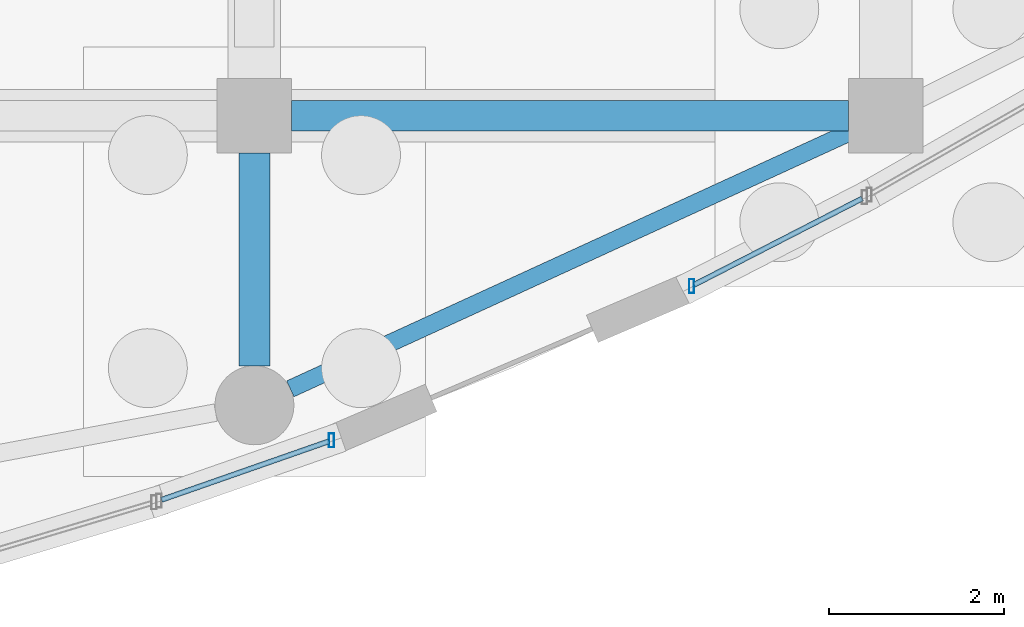
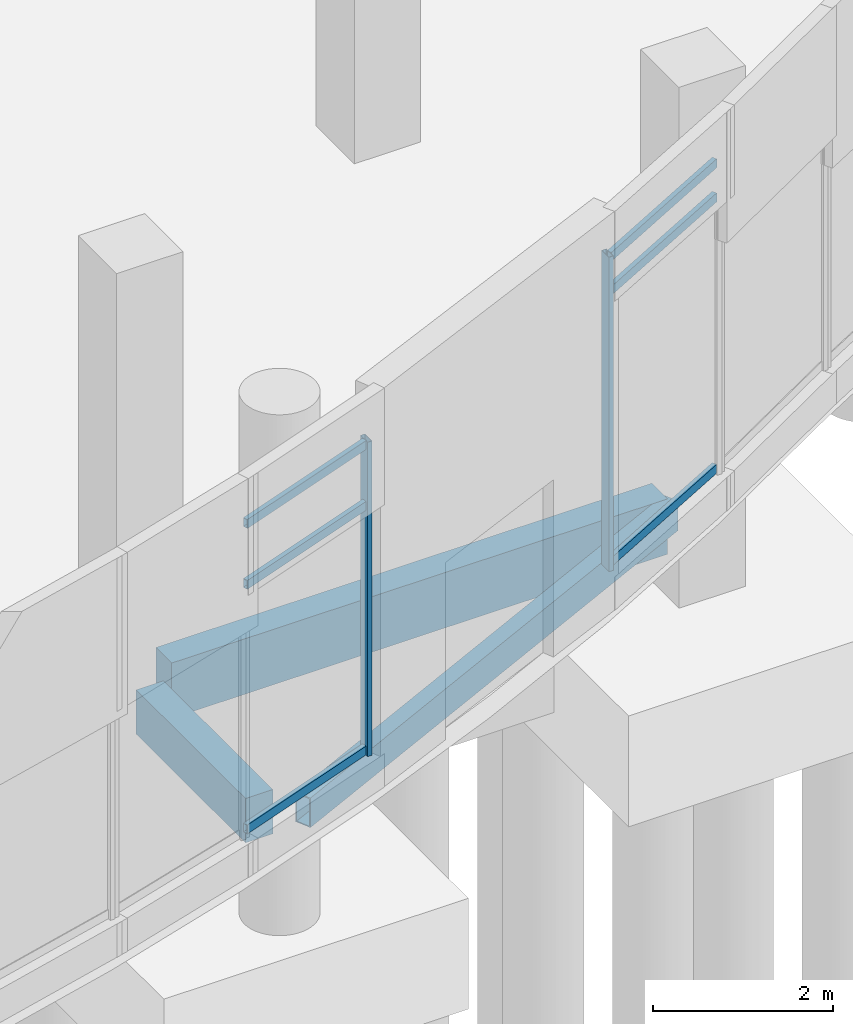
# One storey, part 44 of 192: 8 members, 3 beams, 2 elements without a shape of their own.
"""IFC4 building model written with IfcOpenShell, lengths in metres."""

import ifcopenshell
import ifcopenshell.guid

model = None  # the IFC model being written
_history = None  # IfcOwnerHistory: only IFC2X3 demands one
_inside = {}  # id of a spatial element -> (the spatial element, [elements in it])
_under = {}  # id of a project, library or spatial element -> (it, [spatial elements below it])
_declared = {}  # id of a project -> (the project, [libraries it declares])
_typed = {}  # id of a type object -> (the type object, [elements of that type])
_made_of = {}  # id of a material, layer set ... -> (it, [elements and type objects made of it])


def new_model(schema):
    """Start an empty IFC model of exactly this schema.

    Asked for "IFC4X3", IfcOpenShell would pick the latest addendum, in which some entities
    have other attributes; the version numbers below select the first issue.
    IFC2X3 requires an IfcOwnerHistory on every rooted entity: one is made here for all.
    """
    global model, _history
    if schema == "IFC4X3":
        model = ifcopenshell.file(schema_version=(4, 3, 0, 0))
    else:
        model = ifcopenshell.file(schema=schema)
    _inside.clear()
    _under.clear()
    _declared.clear()
    _typed.clear()
    _made_of.clear()
    _history = None
    if model.schema == "IFC2X3":
        org = make("IfcOrganization", Name="unknown")
        user = make(
            "IfcPersonAndOrganization",
            ThePerson=make("IfcPerson", FamilyName="unknown"),
            TheOrganization=org,
        )
        app = make(
            "IfcApplication",
            ApplicationDeveloper=org,
            Version="unknown",
            ApplicationFullName="unknown",
            ApplicationIdentifier="unknown",
        )
        _history = make(
            "IfcOwnerHistory",
            OwningUser=user,
            OwningApplication=app,
            ChangeAction="ADDED",
            CreationDate=0,
        )
    return model


def make(cls, **values):
    """One entity of the class cls with the attributes given. An attribute that is None is left unset."""
    return model.create_entity(
        cls, **{name: value for name, value in values.items() if value is not None}
    )


def rooted(cls, **values):
    """An entity with a GlobalId (a new one), such as an element, a storey or a relation."""
    return make(cls, GlobalId=ifcopenshell.guid.new(), OwnerHistory=_history, **values)


def si_unit(unit_type, name, prefix=None):
    """IfcSIUnit, for example si_unit("LENGTHUNIT", "METRE", prefix="MILLI")."""
    return make("IfcSIUnit", UnitType=unit_type, Prefix=prefix, Name=name)


def assignment(units):
    """IfcUnitAssignment: the units of a project."""
    return None if units is None else make("IfcUnitAssignment", Units=units)


def point(xyz):
    """IfcCartesianPoint."""
    return None if xyz is None else make("IfcCartesianPoint", Coordinates=xyz)


def direction(xyz):
    """IfcDirection."""
    return None if xyz is None else make("IfcDirection", DirectionRatios=xyz)


def frame(location, z_axis=None, x_axis=None):
    """IfcAxis2Placement3D, a coordinate frame: its origin and axes. An axis left out is left unset."""
    return make(
        "IfcAxis2Placement3D",
        Location=point(location),
        Axis=direction(z_axis),
        RefDirection=direction(x_axis),
    )


def frame_2d(location, x_axis=None):
    """IfcAxis2Placement2D, a coordinate frame in the plane: its origin and x axis."""
    return make(
        "IfcAxis2Placement2D", Location=point(location), RefDirection=direction(x_axis)
    )


def origin():
    """The frame at (0, 0, 0) with its axes left unset."""
    return frame((0.0, 0.0, 0.0))


def origin_2d():
    """The frame at (0, 0) in the plane with its x axis left unset."""
    return frame_2d((0.0, 0.0))


def place(relative_to, where):
    """IfcLocalPlacement: puts the frame where relative to a parent placement (None: the world)."""
    return make(
        "IfcLocalPlacement", PlacementRelTo=relative_to, RelativePlacement=where
    )


def context(
    kind, dimensions, precision=None, world=None, true_north=None, identifier=None
):
    """IfcGeometricRepresentationContext, for example the 3D "Model" context."""
    return make(
        "IfcGeometricRepresentationContext",
        ContextIdentifier=identifier,
        ContextType=kind,
        CoordinateSpaceDimension=dimensions,
        Precision=precision,
        WorldCoordinateSystem=world,
        TrueNorth=true_north,
    )


def subcontext(parent, identifier, kind, view, scale=None):
    """IfcGeometricRepresentationSubContext, for example "Body" below "Model"."""
    return make(
        "IfcGeometricRepresentationSubContext",
        ContextIdentifier=identifier,
        ContextType=kind,
        ParentContext=parent,
        TargetScale=scale,
        TargetView=view,
    )


def project(units=None, contexts=None):
    """IfcProject with its units and contexts."""
    return rooted(
        "IfcProject",
        Name="project",
        RepresentationContexts=contexts,
        UnitsInContext=assignment(units),
    )


def spatial(cls, under=None, at=None, **own):
    """A site, building, storey or space (cls), placed at a placement, below another one or the project."""
    s = rooted(cls, ObjectPlacement=at, **own)
    if under is not None:
        _under.setdefault(under.id(), (under, []))[1].append(s)
    return s


def profile(cls, at=None, kind="AREA", **sizes):
    """A parametric profile (cls). Its sizes go by their IFC names, for example OverallWidth=200.0."""
    return make(cls, ProfileType=kind, Position=at, **sizes)


def rectangle(**sizes):
    """IfcRectangleProfileDef."""
    return profile("IfcRectangleProfileDef", **sizes)


def hollow_rectangle(**sizes):
    """IfcRectangleHollowProfileDef."""
    return profile("IfcRectangleHollowProfileDef", **sizes)


def extrude(swept, where, along, depth):
    """IfcExtrudedAreaSolid: the profile swept, set in the frame where, extruded along a direction by depth."""
    return make(
        "IfcExtrudedAreaSolid",
        SweptArea=swept,
        Position=where,
        ExtrudedDirection=direction(along),
        Depth=depth,
    )


def shape(context_of_items, identifier, shape_type, items):
    """IfcShapeRepresentation: the items that make up one representation, for example the "Body"."""
    return make(
        "IfcShapeRepresentation",
        ContextOfItems=context_of_items,
        RepresentationIdentifier=identifier,
        RepresentationType=shape_type,
        Items=items,
    )


def material(Name=None, Category=None):
    """IfcMaterial."""
    return make("IfcMaterial", Name=Name, Category=Category)


def material_profile(
    of_material, cross_section, Name=None, Category=None, Priority=None
):
    """IfcMaterialProfile: a cross section and its material."""
    return make(
        "IfcMaterialProfile",
        Name=Name,
        Material=of_material,
        Profile=cross_section,
        Priority=Priority,
        Category=Category,
    )


def profile_set(profiles, Name=None, composite=None):
    """IfcMaterialProfileSet."""
    return make(
        "IfcMaterialProfileSet",
        Name=Name,
        MaterialProfiles=profiles,
        CompositeProfile=composite,
    )


def made_of(thing, what):
    """Note that an element or type object is made of a material, layer set ...; save() writes the relation."""
    if what is not None:
        _made_of.setdefault(what.id(), (what, []))[1].append(thing)
    return thing


def type_object(cls, material=None, **own):
    """A type object (cls), such as IfcWallType, which elements share."""
    return made_of(rooted(cls, **own), material)


def element(
    cls,
    number,
    at=None,
    inside=None,
    cuts=None,
    type_object=None,
    material=None,
    context=None,
    identifier="Body",
    shape_type=None,
    held_by="IfcProductDefinitionShape",
    body=None,
    shapes=None,
    **own,
):
    """One element of the class cls, such as IfcWall. Its Tag is "e" and its number.

    at: its placement. inside: the storey or other place that contains it. cuts: it is an
    opening in that element (IfcRelVoidsElement). A single representation is given by context,
    identifier, shape_type and body (its items); several are given by shapes. held_by: the class
    of the entity that holds the representations. save() writes the other relations.
    """
    e = rooted(cls, Tag="e%d" % number, ObjectPlacement=at, **own)
    if body is not None:
        shapes = [shape(context, identifier, shape_type, body)]
    if shapes is not None:
        e.Representation = make(held_by, Representations=shapes)
    if inside is not None:
        _inside.setdefault(inside.id(), (inside, []))[1].append(e)
    if cuts is not None:
        rooted(
            "IfcRelVoidsElement", RelatingBuildingElement=cuts, RelatedOpeningElement=e
        )
    if type_object is not None:
        _typed.setdefault(type_object.id(), (type_object, []))[1].append(e)
    return made_of(e, material)


def aggregate(whole, parts):
    """IfcRelAggregates: a whole, such as a stair, and the parts it consists of."""
    return rooted("IfcRelAggregates", RelatingObject=whole, RelatedObjects=parts)


def save(model, path):
    """Write the relations noted so far, then the file.

    IfcRelAggregates (storeys below a building ...), IfcRelContainedInSpatialStructure (elements
    in a storey), IfcRelDefinesByType, IfcRelAssociatesMaterial and IfcRelDeclares: one each for
    every whole, place, type object, material and project.
    """
    for whole, parts in _under.values():
        aggregate(whole, parts)
    for where, things in _inside.values():
        rooted(
            "IfcRelContainedInSpatialStructure",
            RelatedElements=things,
            RelatingStructure=where,
        )
    for kind, things in _typed.values():
        rooted("IfcRelDefinesByType", RelatedObjects=things, RelatingType=kind)
    for what, things in _made_of.values():
        rooted("IfcRelAssociatesMaterial", RelatedObjects=things, RelatingMaterial=what)
    for by, libraries in _declared.values():
        rooted("IfcRelDeclares", RelatingContext=by, RelatedDefinitions=libraries)
    model.write(path)


model = new_model("IFC4")

# Units and contexts
model_context = context("Model", 3, precision=1e-05, world=origin(), true_north=direction((0.0, 1.0)))
body_context = subcontext(model_context, "Body", "Model", "MODEL_VIEW")
ifc_project = project(units=[si_unit("LENGTHUNIT", "METRE"), si_unit("AREAUNIT", "SQUARE_METRE"), si_unit("VOLUMEUNIT", "CUBIC_METRE"), si_unit("PLANEANGLEUNIT", "RADIAN"), si_unit("MASSUNIT", "GRAM", prefix="KILO")], contexts=[model_context])

# Site, building, storey
site_placement = place(None, origin())
site = spatial("IfcSite", under=ifc_project, at=site_placement, CompositionType="ELEMENT")
building_placement = place(site_placement, origin())
building = spatial("IfcBuilding", under=site, at=building_placement, Name="Cendralis Lancet Convention Centre", CompositionType="ELEMENT")
storey_placement = place(building_placement, origin())
storey = spatial("IfcBuildingStorey", under=building, at=storey_placement, Name="L00", CompositionType="ELEMENT", Elevation=0.0)

# Curtain wall, member
ifc_material_1 = material(Name="Anodised bronze architectural aluminium", Category="aluminium")
curtain_wall_type = type_object("IfcCurtainWallType", Name="ARC-CW-WF01", PredefinedType="USERDEFINED", material=ifc_material_1)
curtain_wall_1_placement = place(storey_placement, origin())
curtain_wall_1 = element("IfcCurtainWall", 1, at=curtain_wall_1_placement, inside=storey, type_object=curtain_wall_type, Name="L00 Curtain Wall CW-WF1 #032", ObjectType="CURTAIN WALL", PredefinedType="USERDEFINED")
ifc_material_profile_1 = material_profile(ifc_material_1, hollow_rectangle(XDim=0.06005859375, YDim=0.159912109375, WallThickness=0.00390625, at=origin_2d()), Name="AL-MULL 60x160x4.0")
ifc_profile_set_1 = profile_set([ifc_material_profile_1], Name="Anodised bronze architectural aluminium")
member_type_1 = type_object("IfcMemberType", Name="ARC-CW-ML01", PredefinedType="MULLION", material=ifc_profile_set_1)
member_1_placement = place(storey_placement, frame((72.879638671875, 3.498046875, 0.449951171875), z_axis=(0.0, 0.0, 1.0), x_axis=(1.0, 0.0, 0.0)))
member_1 = element("IfcMember", 2, at=member_1_placement, type_object=member_type_1, Name="Mullion CW2-CW-WF1-L00-032-M1", PredefinedType="MULLION", context=body_context, shape_type="SweptSolid", body=[
    extrude(hollow_rectangle(XDim=0.06005859375, YDim=0.159912109375, WallThickness=0.00390625, at=origin_2d()), origin(), (0.0, 0.0, 1.0), 4.255126953125),
])

curtain_wall_2_placement = place(storey_placement, origin())
curtain_wall_2 = element("IfcCurtainWall", 3, at=curtain_wall_2_placement, inside=storey, type_object=curtain_wall_type, Name="L00 Curtain Wall CW-WF1 #033", ObjectType="CURTAIN WALL", PredefinedType="USERDEFINED")
member_2_placement = place(storey_placement, frame((76.985595703125, 5.2578125, 0.449951171875), z_axis=(0.0, 0.0, 1.0), x_axis=(1.0, 0.0, 0.0)))
member_2 = element("IfcMember", 4, at=member_2_placement, type_object=member_type_1, Name="Mullion CW2-CW-WF1-L00-033-M0", PredefinedType="MULLION", context=body_context, shape_type="SweptSolid", body=[
    extrude(hollow_rectangle(XDim=0.06005859375, YDim=0.159912109375, WallThickness=0.00390625, at=origin_2d()), origin(), (0.0, 0.0, 1.0), 4.255126953125),
])

# Member
ifc_material_profile_2 = material_profile(ifc_material_1, hollow_rectangle(XDim=0.06005859375, YDim=0.1201171875, WallThickness=0.00390625, at=origin_2d()), Name="AL-TRAN 60x120x4.0")
ifc_profile_set_2 = profile_set([ifc_material_profile_2], Name="Anodised bronze architectural aluminium")
member_type_2 = type_object("IfcMemberType", Name="ARC-CW-TR01", PredefinedType="USERDEFINED", material=ifc_profile_set_2)
member_3_placement = place(storey_placement, frame((70.939697265625, 2.81982421875, 0.510009765625), z_axis=(0.943952292668, 0.330081912813, 0.0), x_axis=(-0.330081912813, 0.943952292668, 0.0)))
member_3 = element("IfcMember", 5, at=member_3_placement, type_object=member_type_2, Name="Transom CW2-CW-WF1-L00-032-T0BOT", ObjectType="TRANSOM", PredefinedType="USERDEFINED", context=body_context, shape_type="SweptSolid", body=[
    extrude(hollow_rectangle(XDim=0.06005859375, YDim=0.1201171875, WallThickness=0.00390625, at=origin_2d()), origin(), (0.0, 0.0, 1.0), 2.025146484375),
])

member_4_placement = place(storey_placement, frame((70.939697265625, 2.81982421875, 3.821044921875), z_axis=(0.943952292668, 0.330081912813, 0.0), x_axis=(-0.330081912813, 0.943952292668, 0.0)))
member_4 = element("IfcMember", 6, at=member_4_placement, type_object=member_type_2, Name="Transom CW2-CW-WF1-L00-032-T0MID", ObjectType="TRANSOM", PredefinedType="USERDEFINED", context=body_context, shape_type="SweptSolid", body=[
    extrude(hollow_rectangle(XDim=0.06005859375, YDim=0.1201171875, WallThickness=0.00390625, at=origin_2d()), origin(), (0.0, 0.0, 1.0), 2.025146484375),
])

member_5_placement = place(storey_placement, frame((70.939697265625, 2.81982421875, 4.64501953125), z_axis=(0.943952292668, 0.330081912813, 0.0), x_axis=(-0.330081912813, 0.943952292668, 0.0)))
member_5 = element("IfcMember", 7, at=member_5_placement, type_object=member_type_2, Name="Transom CW2-CW-WF1-L00-032-T0TOP", ObjectType="TRANSOM", PredefinedType="USERDEFINED", context=body_context, shape_type="SweptSolid", body=[
    extrude(hollow_rectangle(XDim=0.06005859375, YDim=0.1201171875, WallThickness=0.00390625, at=origin_2d()), origin(), (0.0, 0.0, 1.0), 2.025146484375),
])

aggregate(curtain_wall_1, [member_1, member_3, member_4, member_5])

member_6_placement = place(storey_placement, frame((77.012451171875, 5.271484375, 0.510009765625), z_axis=(0.889552096482, 0.456833741798, 0.0), x_axis=(-0.456833741798, 0.889552096482, 0.0)))
member_6 = element("IfcMember", 8, at=member_6_placement, type_object=member_type_2, Name="Transom CW2-CW-WF1-L00-033-T0BOT", ObjectType="TRANSOM", PredefinedType="USERDEFINED", context=body_context, shape_type="SweptSolid", body=[
    extrude(hollow_rectangle(XDim=0.06005859375, YDim=0.1201171875, WallThickness=0.00390625, at=origin_2d()), origin(), (0.0, 0.0, 1.0), 2.156494140625),
])

member_7_placement = place(storey_placement, frame((77.012451171875, 5.271484375, 4.18310546875), z_axis=(0.889552096482, 0.456833741798, 0.0), x_axis=(-0.456833741798, 0.889552096482, 0.0)))
member_7 = element("IfcMember", 9, at=member_7_placement, type_object=member_type_2, Name="Transom CW2-CW-WF1-L00-033-T0MID", ObjectType="TRANSOM", PredefinedType="USERDEFINED", context=body_context, shape_type="SweptSolid", body=[
    extrude(hollow_rectangle(XDim=0.06005859375, YDim=0.1201171875, WallThickness=0.00390625, at=origin_2d()), origin(), (0.0, 0.0, 1.0), 2.156494140625),
])

member_8_placement = place(storey_placement, frame((77.012451171875, 5.271484375, 4.64501953125), z_axis=(0.889552096482, 0.456833741798, 0.0), x_axis=(-0.456833741798, 0.889552096482, 0.0)))
member_8 = element("IfcMember", 10, at=member_8_placement, type_object=member_type_2, Name="Transom CW2-CW-WF1-L00-033-T0TOP", ObjectType="TRANSOM", PredefinedType="USERDEFINED", context=body_context, shape_type="SweptSolid", body=[
    extrude(hollow_rectangle(XDim=0.06005859375, YDim=0.1201171875, WallThickness=0.00390625, at=origin_2d()), origin(), (0.0, 0.0, 1.0), 2.156494140625),
])

aggregate(curtain_wall_2, [member_2, member_6, member_7, member_8])

# Beams
ifc_material_2 = material(Name="Concrete G35 (C35/45)", Category="concrete")
ifc_material_profile_3 = material_profile(ifc_material_2, rectangle(XDim=0.35009765625, YDim=0.60009765625, at=origin_2d()), Name="RCB 350x600")
ifc_profile_set_3 = profile_set([ifc_material_profile_3], Name="Concrete G35 (C35/45)")
beam_type_1 = type_object("IfcBeamType", Name="STR-BM-BG16", PredefinedType="BEAM", material=ifc_profile_set_3)
beam_1_placement = place(storey_placement, frame((72.0, 4.347900390625, -0.6201171875), z_axis=(0.0, 1.0, 0.0), x_axis=(-1.0, 0.0, 0.0)))
element("IfcBeam", 11, at=beam_1_placement, inside=storey, type_object=beam_type_1, Name="L00 Beam BG16 #1023", PredefinedType="BEAM", context=body_context, shape_type="SweptSolid", body=[
    extrude(rectangle(XDim=0.35009765625, YDim=0.60009765625, at=origin_2d()), origin(), (0.0, 0.0, 1.0), 2.427001953125),
])
ifc_material_3 = material(Name="Concrete G40 (C40/50)", Category="concrete")
ifc_material_profile_4 = material_profile(ifc_material_3, rectangle(XDim=0.35009765625, YDim=0.75, at=origin_2d()), Name="RCB 350x750")
ifc_profile_set_4 = profile_set([ifc_material_profile_4], Name="Concrete G40 (C40/50)")
beam_type_2 = type_object("IfcBeamType", Name="STR-SP-SP01", PredefinedType="SPANDREL", material=ifc_profile_set_4)
beam_2_placement = place(storey_placement, frame((72.425048828125, 7.199951171875, -0.695068359375), z_axis=(1.0, 0.0, 0.0), x_axis=(0.0, 1.0, 0.0)))
element("IfcBeam", 12, at=beam_2_placement, inside=storey, type_object=beam_type_2, Name="L00 Beam SP01 #0661", PredefinedType="SPANDREL", context=body_context, shape_type="SweptSolid", body=[
    extrude(rectangle(XDim=0.35009765625, YDim=0.75, at=origin_2d()), origin(), (0.0, 0.0, 1.0), 6.349853515625),
])
ifc_material_4 = material(Name="Steel S355", Category="steel")
ifc_material_profile_5 = material_profile(ifc_material_4, hollow_rectangle(XDim=0.199951171875, YDim=0.39990234375, WallThickness=0.01416015625, at=origin_2d()), Name="RHS 400x200x14.2")
ifc_profile_set_5 = profile_set([ifc_material_profile_5], Name="Steel S355")
beam_type_3 = type_object("IfcBeamType", Name="STR-SP-SP03", PredefinedType="SPANDREL", material=ifc_profile_set_5)
beam_3_placement = place(storey_placement, frame((72.408935546875, 4.085693359375, -0.52001953125), z_axis=(0.908984969069, 0.41682889296, 0.0), x_axis=(-0.41682889296, 0.908984969069, 0.0)))
element("IfcBeam", 13, at=beam_3_placement, inside=storey, type_object=beam_type_3, Name="L00 Beam SP03 #1036", PredefinedType="SPANDREL", context=body_context, shape_type="SweptSolid", body=[
    extrude(hollow_rectangle(XDim=0.199951171875, YDim=0.39990234375, WallThickness=0.01416015625, at=origin_2d()), origin(), (0.0, 0.0, 1.0), 7.046142578125),
])

save(model, "model.ifc")
